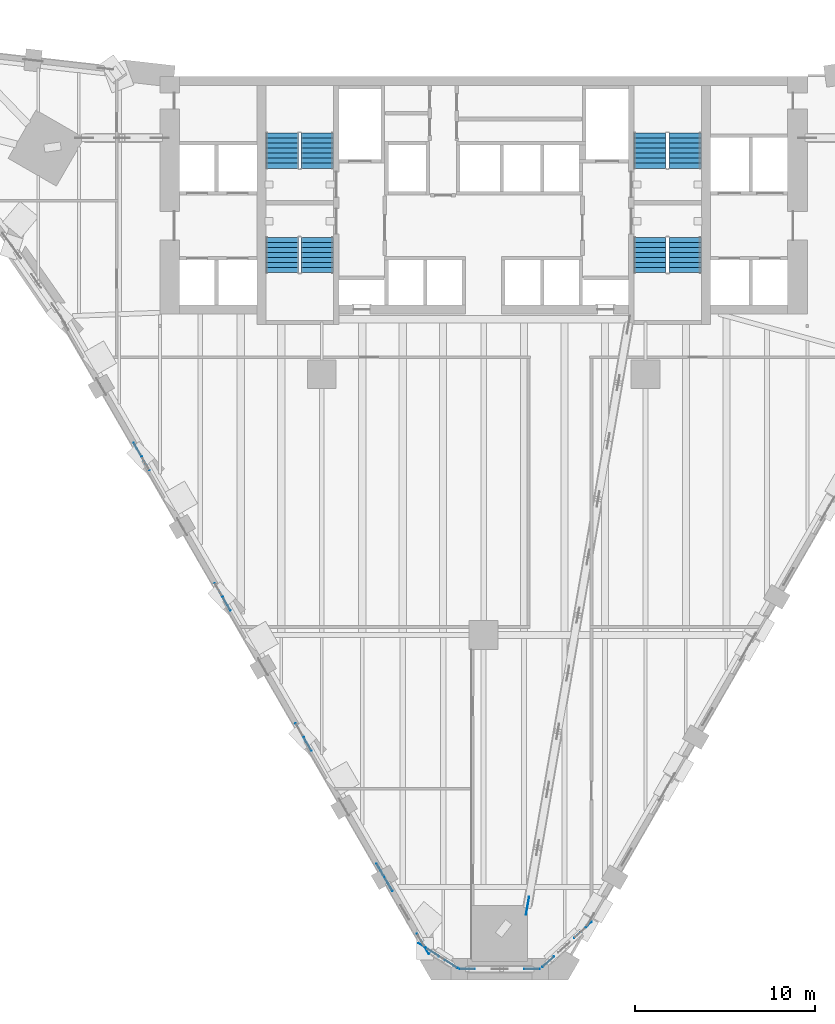
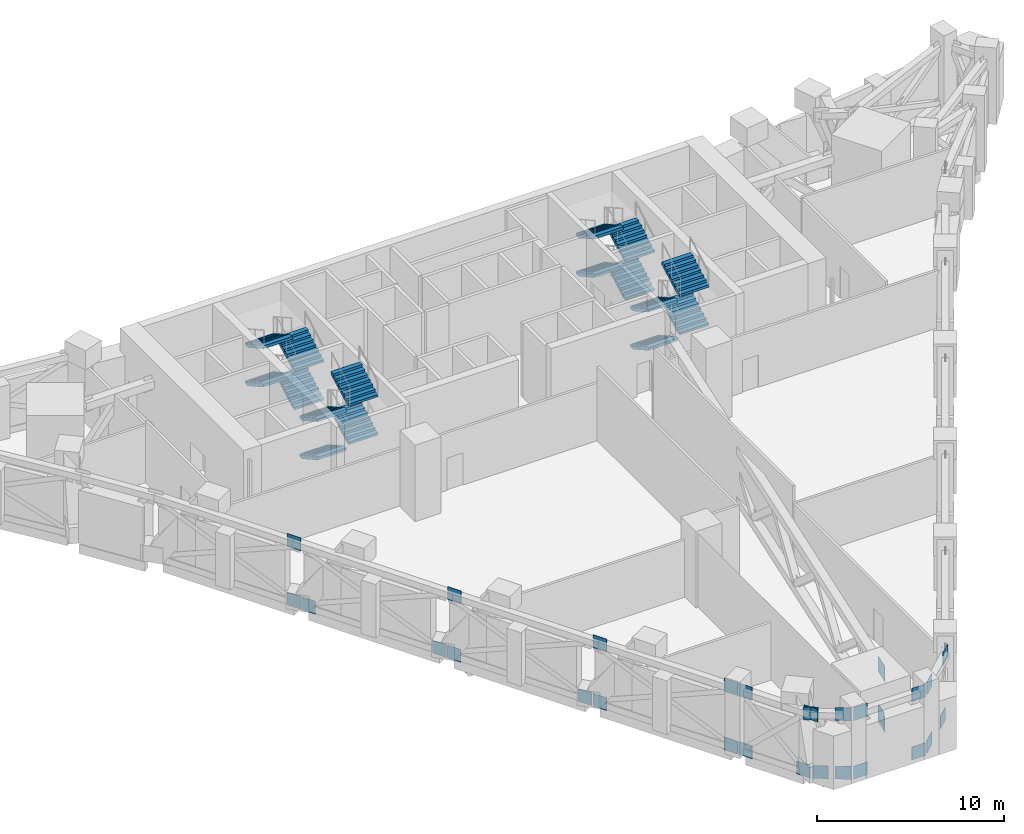
# One storey, part 13 of 22: 30 discrete accessories, 16 stair flights, 4 elements without a shape of their own.
"""IFC4 building model written with IfcOpenShell, lengths in metres."""

from ifc_helpers import new_model, si_unit, direction, frame, origin, origin_2d, place, context, subcontext, project, spatial, rectangle, extrude, faceted_brep, source, transform, mapped, material, type_object, element, aggregate, save


model = new_model("IFC4")

# Units and contexts
model_context = context("Model", 3, precision=1e-05, world=origin(), true_north=direction((0.0, 1.0)))
body_context = subcontext(model_context, "Body", "Model", "MODEL_VIEW")
ifc_project = project(units=[si_unit("LENGTHUNIT", "METRE"), si_unit("AREAUNIT", "SQUARE_METRE"), si_unit("VOLUMEUNIT", "CUBIC_METRE"), si_unit("PLANEANGLEUNIT", "RADIAN"), si_unit("MASSUNIT", "GRAM", prefix="KILO")], contexts=[model_context])

# Site, building, storey
site_placement = place(None, origin())
site = spatial("IfcSite", under=ifc_project, at=site_placement, CompositionType="ELEMENT")
building_placement = place(site_placement, origin())
building = spatial("IfcBuilding", under=site, at=building_placement, Name="Calabash Gate Tower", CompositionType="ELEMENT")
storey_placement = place(building_placement, frame((0.0, 0.0, 86.800048828125)))
storey = spatial("IfcBuildingStorey", under=building, at=storey_placement, Name="L18", CompositionType="ELEMENT", Elevation=86.800048828125)

# Stair, stair flights
ifc_material_1 = material(Name="Concrete C40/50", Category="concrete")
stair_type = type_object("IfcStairType", Name="Exit stair 32 risers of 156.2 mm", PredefinedType="HALF_TURN_STAIR", material=ifc_material_1)
stair_1_placement = place(storey_placement, origin())
stair_1 = element("IfcStair", 1, at=stair_1_placement, inside=storey, type_object=stair_type, Name="L18 Exit stair ST1", PredefinedType="HALF_TURN_STAIR")
ifc_material_2 = material(Name="Concrete C40/50", Category="concrete")
stair_flight_type = type_object("IfcStairFlightType", Name="Exit stair flight SFL", PredefinedType="STRAIGHT", material=ifc_material_2)
shared_shape = source(origin(), body_context, "Body", "Brep", [
    faceted_brep([(-0.0009765625, -0.89990234375, 0.0), (0.306884765625, -0.89990234375, 0.0), (1.9541015625, -0.89990234375, 0.921875), (-0.0009765625, 0.89990234375, 0.0), (1.9541015625, 0.89990234375, 0.921875), (0.306884765625, 0.89990234375, 0.0), (1.9541015625, -0.89990234375, 1.105712890625), (1.952880859375, -0.89990234375, 1.105712890625), (1.952880859375, 0.89990234375, 1.105712890625), (1.9541015625, 0.89990234375, 1.105712890625), (1.952880859375, -0.89990234375, 1.09375), (1.952880859375, 0.89990234375, 1.09375), (1.674072265625, -0.89990234375, 1.09375), (1.674072265625, 0.89990234375, 1.09375), (1.674072265625, -0.89990234375, 0.9375), (1.674072265625, 0.89990234375, 0.9375), (1.39501953125, -0.89990234375, 0.9375), (1.39501953125, 0.89990234375, 0.9375), (1.39501953125, -0.89990234375, 0.78125), (1.39501953125, 0.89990234375, 0.78125), (1.115966796875, -0.89990234375, 0.78125), (1.115966796875, -0.89990234375, 0.625), (1.115966796875, 0.89990234375, 0.625), (1.115966796875, 0.89990234375, 0.78125), (0.8369140625, -0.89990234375, 0.625), (0.8369140625, -0.89990234375, 0.46875), (0.8369140625, 0.89990234375, 0.46875), (0.8369140625, 0.89990234375, 0.625), (0.55810546875, -0.89990234375, 0.46875), (0.55810546875, -0.89990234375, 0.3125), (0.55810546875, 0.89990234375, 0.3125), (0.55810546875, 0.89990234375, 0.46875), (0.279052734375, -0.89990234375, 0.3125), (0.279052734375, -0.89990234375, 0.15625), (0.279052734375, 0.89990234375, 0.15625), (0.279052734375, 0.89990234375, 0.3125), (-0.0009765625, -0.89990234375, 0.15625), (-0.0009765625, 0.89990234375, 0.15625), (0.306884765625, -0.360107421875, 0.0), (1.9541015625, -0.360107421875, 0.921875), (0.306884765625, -0.27001953125, 0.0), (1.9541015625, -0.27001953125, 0.921875), (0.306884765625, -0.179931640625, 0.0), (1.9541015625, -0.179931640625, 0.921875), (0.306884765625, -0.090087890625, 0.0), (1.9541015625, -0.090087890625, 0.921875), (0.306884765625, 0.0, 0.0), (1.9541015625, 0.0, 0.921875), (0.306884765625, 0.090087890625, 0.0), (1.9541015625, 0.090087890625, 0.921875), (0.306884765625, 0.179931640625, 0.0), (1.9541015625, 0.179931640625, 0.921875), (0.306884765625, 0.27001953125, 0.0), (1.9541015625, 0.27001953125, 0.921875), (0.306884765625, 0.360107421875, 0.0), (1.9541015625, 0.360107421875, 0.921875), (1.9541015625, -0.360107421875, 1.105712890625), (1.9541015625, -0.27001953125, 1.105712890625), (1.9541015625, -0.179931640625, 1.105712890625), (1.9541015625, -0.090087890625, 1.105712890625), (1.9541015625, 0.0, 1.105712890625), (1.9541015625, 0.090087890625, 1.105712890625), (1.9541015625, 0.179931640625, 1.105712890625), (1.9541015625, 0.27001953125, 1.105712890625), (1.9541015625, 0.360107421875, 1.105712890625), (1.952880859375, -0.360107421875, 1.105712890625), (1.952880859375, -0.27001953125, 1.105712890625), (1.952880859375, -0.179931640625, 1.105712890625), (1.952880859375, -0.090087890625, 1.105712890625), (1.952880859375, 0.0, 1.105712890625), (1.952880859375, 0.090087890625, 1.105712890625), (1.952880859375, 0.179931640625, 1.105712890625), (1.952880859375, 0.27001953125, 1.105712890625), (1.952880859375, 0.360107421875, 1.105712890625), (1.952880859375, -0.360107421875, 1.09375), (1.952880859375, -0.27001953125, 1.09375), (1.952880859375, -0.179931640625, 1.09375), (1.952880859375, -0.090087890625, 1.09375), (1.952880859375, 0.0, 1.09375), (1.952880859375, 0.090087890625, 1.09375), (1.952880859375, 0.179931640625, 1.09375), (1.952880859375, 0.27001953125, 1.09375), (1.952880859375, 0.360107421875, 1.09375), (1.674072265625, -0.360107421875, 1.09375), (1.674072265625, -0.27001953125, 1.09375), (1.674072265625, -0.179931640625, 1.09375), (1.674072265625, -0.090087890625, 1.09375), (1.674072265625, 0.0, 1.09375), (1.674072265625, 0.090087890625, 1.09375), (1.674072265625, 0.179931640625, 1.09375), (1.674072265625, 0.27001953125, 1.09375), (1.674072265625, 0.360107421875, 1.09375), (1.674072265625, -0.360107421875, 0.9375), (1.674072265625, -0.27001953125, 0.9375), (1.674072265625, -0.179931640625, 0.9375), (1.674072265625, -0.090087890625, 0.9375), (1.674072265625, 0.0, 0.9375), (1.674072265625, 0.090087890625, 0.9375), (1.674072265625, 0.179931640625, 0.9375), (1.674072265625, 0.27001953125, 0.9375), (1.674072265625, 0.360107421875, 0.9375), (1.39501953125, -0.360107421875, 0.9375), (1.39501953125, -0.27001953125, 0.9375), (1.39501953125, -0.179931640625, 0.9375), (1.39501953125, -0.090087890625, 0.9375), (1.39501953125, 0.0, 0.9375), (1.39501953125, 0.090087890625, 0.9375), (1.39501953125, 0.179931640625, 0.9375), (1.39501953125, 0.27001953125, 0.9375), (1.39501953125, 0.360107421875, 0.9375), (1.39501953125, -0.360107421875, 0.78125), (1.39501953125, -0.27001953125, 0.78125), (1.39501953125, -0.179931640625, 0.78125), (1.39501953125, -0.090087890625, 0.78125), (1.39501953125, 0.0, 0.78125), (1.39501953125, 0.090087890625, 0.78125), (1.39501953125, 0.179931640625, 0.78125), (1.39501953125, 0.27001953125, 0.78125), (1.39501953125, 0.360107421875, 0.78125), (1.115966796875, -0.360107421875, 0.78125), (1.115966796875, -0.27001953125, 0.78125), (1.115966796875, -0.179931640625, 0.78125), (1.115966796875, -0.090087890625, 0.78125), (1.115966796875, 0.0, 0.78125), (1.115966796875, 0.090087890625, 0.78125), (1.115966796875, 0.179931640625, 0.78125), (1.115966796875, 0.27001953125, 0.78125), (1.115966796875, 0.360107421875, 0.78125), (1.115966796875, -0.360107421875, 0.625), (1.115966796875, -0.27001953125, 0.625), (1.115966796875, -0.179931640625, 0.625), (1.115966796875, -0.090087890625, 0.625), (1.115966796875, 0.0, 0.625), (1.115966796875, 0.090087890625, 0.625), (1.115966796875, 0.179931640625, 0.625), (1.115966796875, 0.27001953125, 0.625), (1.115966796875, 0.360107421875, 0.625), (0.8369140625, -0.360107421875, 0.625), (0.8369140625, -0.27001953125, 0.625), (0.8369140625, -0.179931640625, 0.625), (0.8369140625, -0.090087890625, 0.625), (0.8369140625, 0.0, 0.625), (0.8369140625, 0.090087890625, 0.625), (0.8369140625, 0.179931640625, 0.625), (0.8369140625, 0.27001953125, 0.625), (0.8369140625, 0.360107421875, 0.625), (0.8369140625, -0.360107421875, 0.46875), (0.8369140625, -0.27001953125, 0.46875), (0.8369140625, -0.179931640625, 0.46875), (0.8369140625, -0.090087890625, 0.46875), (0.8369140625, 0.0, 0.46875), (0.8369140625, 0.090087890625, 0.46875), (0.8369140625, 0.179931640625, 0.46875), (0.8369140625, 0.27001953125, 0.46875), (0.8369140625, 0.360107421875, 0.46875), (0.55810546875, -0.360107421875, 0.46875), (0.55810546875, -0.27001953125, 0.46875), (0.55810546875, -0.179931640625, 0.46875), (0.55810546875, -0.090087890625, 0.46875), (0.55810546875, 0.0, 0.46875), (0.55810546875, 0.090087890625, 0.46875), (0.55810546875, 0.179931640625, 0.46875), (0.55810546875, 0.27001953125, 0.46875), (0.55810546875, 0.360107421875, 0.46875), (0.55810546875, -0.360107421875, 0.3125), (0.55810546875, -0.27001953125, 0.3125), (0.55810546875, -0.179931640625, 0.3125), (0.55810546875, -0.090087890625, 0.3125), (0.55810546875, 0.0, 0.3125), (0.55810546875, 0.090087890625, 0.3125), (0.55810546875, 0.179931640625, 0.3125), (0.55810546875, 0.27001953125, 0.3125), (0.55810546875, 0.360107421875, 0.3125), (0.279052734375, -0.360107421875, 0.3125), (0.279052734375, -0.27001953125, 0.3125), (0.279052734375, -0.179931640625, 0.3125), (0.279052734375, -0.090087890625, 0.3125), (0.279052734375, 0.0, 0.3125), (0.279052734375, 0.090087890625, 0.3125), (0.279052734375, 0.179931640625, 0.3125), (0.279052734375, 0.27001953125, 0.3125), (0.279052734375, 0.360107421875, 0.3125), (0.279052734375, -0.360107421875, 0.15625), (0.279052734375, -0.27001953125, 0.15625), (0.279052734375, -0.179931640625, 0.15625), (0.279052734375, -0.090087890625, 0.15625), (0.279052734375, 0.0, 0.15625), (0.279052734375, 0.090087890625, 0.15625), (0.279052734375, 0.179931640625, 0.15625), (0.279052734375, 0.27001953125, 0.15625), (0.279052734375, 0.360107421875, 0.15625), (-0.0009765625, -0.360107421875, 0.15625), (-0.0009765625, -0.27001953125, 0.15625), (-0.0009765625, -0.179931640625, 0.15625), (-0.0009765625, -0.090087890625, 0.15625), (-0.0009765625, 0.0, 0.15625), (-0.0009765625, 0.090087890625, 0.15625), (-0.0009765625, 0.179931640625, 0.15625), (-0.0009765625, 0.27001953125, 0.15625), (-0.0009765625, 0.360107421875, 0.15625), (-0.0009765625, -0.360107421875, 0.0), (-0.0009765625, -0.27001953125, 0.0), (-0.0009765625, -0.179931640625, 0.0), (-0.0009765625, -0.090087890625, 0.0), (-0.0009765625, 0.0, 0.0), (-0.0009765625, 0.090087890625, 0.0), (-0.0009765625, 0.179931640625, 0.0), (-0.0009765625, 0.27001953125, 0.0), (-0.0009765625, 0.360107421875, 0.0)], [[[0, 1, 2]], [[3, 4, 5]], [[2, 6, 7]], [[4, 8, 9]], [[2, 7, 10]], [[4, 11, 8]], [[2, 10, 12]], [[4, 13, 11]], [[2, 12, 14]], [[4, 15, 13]], [[2, 14, 16]], [[4, 17, 15]], [[2, 16, 18]], [[4, 19, 17]], [[18, 20, 21]], [[19, 22, 23]], [[2, 18, 21]], [[4, 22, 19]], [[21, 24, 25]], [[22, 26, 27]], [[2, 21, 25]], [[4, 26, 22]], [[25, 28, 29]], [[26, 30, 31]], [[2, 25, 29]], [[4, 30, 26]], [[29, 32, 33]], [[30, 34, 35]], [[2, 29, 33]], [[4, 34, 30]], [[0, 2, 33]], [[3, 34, 4]], [[33, 36, 0]], [[34, 3, 37]], [[1, 38, 2]], [[38, 39, 2]], [[38, 40, 39]], [[40, 41, 39]], [[40, 42, 41]], [[42, 43, 41]], [[42, 44, 43]], [[44, 45, 43]], [[44, 46, 45]], [[46, 47, 45]], [[46, 48, 49]], [[46, 49, 47]], [[48, 50, 51]], [[48, 51, 49]], [[50, 52, 53]], [[50, 53, 51]], [[52, 54, 55]], [[52, 55, 53]], [[54, 5, 4]], [[54, 4, 55]], [[2, 39, 6]], [[39, 56, 6]], [[39, 41, 56]], [[41, 57, 56]], [[41, 43, 57]], [[43, 58, 57]], [[43, 45, 58]], [[45, 59, 58]], [[45, 47, 59]], [[47, 60, 59]], [[47, 49, 61]], [[47, 61, 60]], [[49, 51, 62]], [[49, 62, 61]], [[51, 53, 63]], [[51, 63, 62]], [[53, 55, 64]], [[53, 64, 63]], [[55, 4, 9]], [[55, 9, 64]], [[6, 56, 7]], [[56, 65, 7]], [[56, 57, 65]], [[57, 66, 65]], [[57, 58, 66]], [[58, 67, 66]], [[58, 59, 67]], [[59, 68, 67]], [[59, 60, 68]], [[60, 69, 68]], [[60, 61, 70]], [[60, 70, 69]], [[61, 62, 71]], [[61, 71, 70]], [[62, 63, 72]], [[62, 72, 71]], [[63, 64, 73]], [[63, 73, 72]], [[64, 9, 8]], [[64, 8, 73]], [[7, 65, 10]], [[65, 74, 10]], [[65, 66, 74]], [[66, 75, 74]], [[66, 67, 75]], [[67, 76, 75]], [[67, 68, 76]], [[68, 77, 76]], [[68, 69, 77]], [[69, 78, 77]], [[69, 70, 79]], [[69, 79, 78]], [[70, 71, 80]], [[70, 80, 79]], [[71, 72, 81]], [[71, 81, 80]], [[72, 73, 82]], [[72, 82, 81]], [[73, 8, 11]], [[73, 11, 82]], [[10, 74, 12]], [[74, 83, 12]], [[74, 75, 83]], [[75, 84, 83]], [[75, 76, 84]], [[76, 85, 84]], [[76, 77, 85]], [[77, 86, 85]], [[77, 78, 86]], [[78, 87, 86]], [[78, 79, 88]], [[78, 88, 87]], [[79, 80, 89]], [[79, 89, 88]], [[80, 81, 90]], [[80, 90, 89]], [[81, 82, 91]], [[81, 91, 90]], [[82, 11, 13]], [[82, 13, 91]], [[12, 83, 14]], [[83, 92, 14]], [[83, 84, 92]], [[84, 93, 92]], [[84, 85, 93]], [[85, 94, 93]], [[85, 86, 94]], [[86, 95, 94]], [[86, 87, 95]], [[87, 96, 95]], [[87, 88, 97]], [[87, 97, 96]], [[88, 89, 98]], [[88, 98, 97]], [[89, 90, 99]], [[89, 99, 98]], [[90, 91, 100]], [[90, 100, 99]], [[91, 13, 15]], [[91, 15, 100]], [[14, 92, 16]], [[92, 101, 16]], [[92, 93, 101]], [[93, 102, 101]], [[93, 94, 102]], [[94, 103, 102]], [[94, 95, 103]], [[95, 104, 103]], [[95, 96, 104]], [[96, 105, 104]], [[96, 97, 106]], [[96, 106, 105]], [[97, 98, 107]], [[97, 107, 106]], [[98, 99, 108]], [[98, 108, 107]], [[99, 100, 109]], [[99, 109, 108]], [[100, 15, 17]], [[100, 17, 109]], [[16, 101, 18]], [[101, 110, 18]], [[101, 102, 110]], [[102, 111, 110]], [[102, 103, 111]], [[103, 112, 111]], [[103, 104, 112]], [[104, 113, 112]], [[104, 105, 113]], [[105, 114, 113]], [[105, 106, 115]], [[105, 115, 114]], [[106, 107, 116]], [[106, 116, 115]], [[107, 108, 117]], [[107, 117, 116]], [[108, 109, 118]], [[108, 118, 117]], [[109, 17, 19]], [[109, 19, 118]], [[18, 110, 20]], [[110, 119, 20]], [[110, 111, 119]], [[111, 120, 119]], [[111, 112, 120]], [[112, 121, 120]], [[112, 113, 121]], [[113, 122, 121]], [[113, 114, 122]], [[114, 123, 122]], [[114, 115, 124]], [[114, 124, 123]], [[115, 116, 125]], [[115, 125, 124]], [[116, 117, 126]], [[116, 126, 125]], [[117, 118, 127]], [[117, 127, 126]], [[118, 19, 23]], [[118, 23, 127]], [[20, 119, 21]], [[119, 128, 21]], [[119, 120, 128]], [[120, 129, 128]], [[120, 121, 129]], [[121, 130, 129]], [[121, 122, 130]], [[122, 131, 130]], [[122, 123, 131]], [[123, 132, 131]], [[123, 124, 133]], [[123, 133, 132]], [[124, 125, 134]], [[124, 134, 133]], [[125, 126, 135]], [[125, 135, 134]], [[126, 127, 136]], [[126, 136, 135]], [[127, 23, 22]], [[127, 22, 136]], [[21, 128, 24]], [[128, 137, 24]], [[128, 129, 137]], [[129, 138, 137]], [[129, 130, 138]], [[130, 139, 138]], [[130, 131, 139]], [[131, 140, 139]], [[131, 132, 140]], [[132, 141, 140]], [[132, 133, 142]], [[132, 142, 141]], [[133, 134, 143]], [[133, 143, 142]], [[134, 135, 144]], [[134, 144, 143]], [[135, 136, 145]], [[135, 145, 144]], [[136, 22, 27]], [[136, 27, 145]], [[24, 137, 25]], [[137, 146, 25]], [[137, 138, 146]], [[138, 147, 146]], [[138, 139, 147]], [[139, 148, 147]], [[139, 140, 148]], [[140, 149, 148]], [[140, 141, 149]], [[141, 150, 149]], [[141, 142, 151]], [[141, 151, 150]], [[142, 143, 152]], [[142, 152, 151]], [[143, 144, 153]], [[143, 153, 152]], [[144, 145, 154]], [[144, 154, 153]], [[145, 27, 26]], [[145, 26, 154]], [[25, 146, 28]], [[146, 155, 28]], [[146, 147, 155]], [[147, 156, 155]], [[147, 148, 156]], [[148, 157, 156]], [[148, 149, 157]], [[149, 158, 157]], [[149, 150, 158]], [[150, 159, 158]], [[150, 151, 160]], [[150, 160, 159]], [[151, 152, 161]], [[151, 161, 160]], [[152, 153, 162]], [[152, 162, 161]], [[153, 154, 163]], [[153, 163, 162]], [[154, 26, 31]], [[154, 31, 163]], [[28, 155, 29]], [[155, 164, 29]], [[155, 156, 164]], [[156, 165, 164]], [[156, 157, 165]], [[157, 166, 165]], [[157, 158, 166]], [[158, 167, 166]], [[158, 159, 167]], [[159, 168, 167]], [[159, 160, 169]], [[159, 169, 168]], [[160, 161, 170]], [[160, 170, 169]], [[161, 162, 171]], [[161, 171, 170]], [[162, 163, 172]], [[162, 172, 171]], [[163, 31, 30]], [[163, 30, 172]], [[29, 164, 32]], [[164, 173, 32]], [[164, 165, 173]], [[165, 174, 173]], [[165, 166, 174]], [[166, 175, 174]], [[166, 167, 175]], [[167, 176, 175]], [[167, 168, 176]], [[168, 177, 176]], [[168, 169, 178]], [[168, 178, 177]], [[169, 170, 179]], [[169, 179, 178]], [[170, 171, 180]], [[170, 180, 179]], [[171, 172, 181]], [[171, 181, 180]], [[172, 30, 35]], [[172, 35, 181]], [[32, 173, 33]], [[173, 182, 33]], [[173, 174, 182]], [[174, 183, 182]], [[174, 175, 183]], [[175, 184, 183]], [[175, 176, 184]], [[176, 185, 184]], [[176, 177, 185]], [[177, 186, 185]], [[177, 178, 187]], [[177, 187, 186]], [[178, 179, 188]], [[178, 188, 187]], [[179, 180, 189]], [[179, 189, 188]], [[180, 181, 190]], [[180, 190, 189]], [[181, 35, 34]], [[181, 34, 190]], [[33, 182, 36]], [[182, 191, 36]], [[182, 183, 191]], [[183, 192, 191]], [[183, 184, 192]], [[184, 193, 192]], [[184, 185, 193]], [[185, 194, 193]], [[185, 186, 194]], [[186, 195, 194]], [[186, 187, 196]], [[186, 196, 195]], [[187, 188, 197]], [[187, 197, 196]], [[188, 189, 198]], [[188, 198, 197]], [[189, 190, 199]], [[189, 199, 198]], [[190, 34, 37]], [[190, 37, 199]], [[36, 191, 0]], [[191, 200, 0]], [[191, 192, 200]], [[192, 201, 200]], [[192, 193, 201]], [[193, 202, 201]], [[193, 194, 202]], [[194, 203, 202]], [[194, 195, 203]], [[195, 204, 203]], [[195, 196, 205]], [[195, 205, 204]], [[196, 197, 206]], [[196, 206, 205]], [[197, 198, 207]], [[197, 207, 206]], [[198, 199, 208]], [[198, 208, 207]], [[199, 37, 3]], [[199, 3, 208]], [[0, 200, 1]], [[200, 38, 1]], [[200, 201, 38]], [[201, 40, 38]], [[201, 202, 40]], [[202, 42, 40]], [[202, 203, 42]], [[203, 44, 42]], [[203, 204, 44]], [[204, 46, 44]], [[204, 205, 48]], [[204, 48, 46]], [[205, 206, 50]], [[205, 50, 48]], [[206, 207, 52]], [[206, 52, 50]], [[207, 208, 54]], [[207, 54, 52]], [[208, 3, 5]], [[208, 5, 54]]]),
])
stair_flight_1_placement = place(storey_placement, frame((-9.25, 13.95263671875, 0.0), z_axis=(0.0, 0.0, 1.0), x_axis=(0.0, 1.0, 0.0)))
stair_flight_1 = element("IfcStairFlight", 2, at=stair_flight_1_placement, type_object=stair_flight_type, Name="ST1 flight 1", NumberOfRisers=8, NumberOfTreads=7, PredefinedType="STRAIGHT", RiserHeight=0.15625, TreadLength=0.279, context=body_context, shape_type="MappedRepresentation", body=[
    mapped(shared_shape, transform((0.0, 0.0, 0.0), scale=1.0)),
])
stair_flight_2_placement = place(storey_placement, frame((-11.199951171875, 15.905517578125, 1.25), z_axis=(0.0, 0.0, 1.0), x_axis=(0.0, -1.0, 0.0)))
stair_flight_2 = element("IfcStairFlight", 3, at=stair_flight_2_placement, type_object=stair_flight_type, Name="ST1 flight 2", NumberOfRisers=8, NumberOfTreads=7, PredefinedType="STRAIGHT", RiserHeight=0.15625, TreadLength=0.279, context=body_context, shape_type="MappedRepresentation", body=[
    mapped(shared_shape, transform((0.0, 0.0, 0.0), scale=1.0)),
])
stair_flight_3_placement = place(storey_placement, frame((-9.25, 13.95263671875, 2.5), z_axis=(0.0, 0.0, 1.0), x_axis=(0.0, 1.0, 0.0)))
stair_flight_3 = element("IfcStairFlight", 4, at=stair_flight_3_placement, type_object=stair_flight_type, Name="ST1 flight 3", NumberOfRisers=8, NumberOfTreads=7, PredefinedType="STRAIGHT", RiserHeight=0.15625, TreadLength=0.279, context=body_context, shape_type="MappedRepresentation", body=[
    mapped(shared_shape, transform((0.0, 0.0, 0.0), scale=1.0)),
])
stair_flight_4_placement = place(storey_placement, frame((-11.199951171875, 15.905517578125, 3.75), z_axis=(0.0, 0.0, 1.0), x_axis=(0.0, -1.0, 0.0)))
stair_flight_4 = element("IfcStairFlight", 5, at=stair_flight_4_placement, type_object=stair_flight_type, Name="ST1 flight 4", NumberOfRisers=8, NumberOfTreads=7, PredefinedType="STRAIGHT", RiserHeight=0.15625, TreadLength=0.279, context=body_context, shape_type="MappedRepresentation", body=[
    mapped(shared_shape, transform((0.0, 0.0, 0.0), scale=1.0)),
])
aggregate(stair_1, [stair_flight_1, stair_flight_2, stair_flight_3, stair_flight_4])

stair_2_placement = place(storey_placement, origin())
stair_2 = element("IfcStair", 6, at=stair_2_placement, inside=storey, type_object=stair_type, Name="L18 Exit stair ST2", PredefinedType="HALF_TURN_STAIR")
stair_flight_5_placement = place(storey_placement, frame((-11.199951171875, 10.1025390625, 0.0), z_axis=(0.0, 0.0, 1.0), x_axis=(0.0, -1.0, 0.0)))
stair_flight_5 = element("IfcStairFlight", 7, at=stair_flight_5_placement, type_object=stair_flight_type, Name="ST2 flight 1", NumberOfRisers=8, NumberOfTreads=7, PredefinedType="STRAIGHT", RiserHeight=0.15625, TreadLength=0.279, context=body_context, shape_type="MappedRepresentation", body=[
    mapped(shared_shape, transform((0.0, 0.0, 0.0), scale=1.0)),
])
stair_flight_6_placement = place(storey_placement, frame((-9.25, 8.149658203125, 1.25), z_axis=(0.0, 0.0, 1.0), x_axis=(0.0, 1.0, 0.0)))
stair_flight_6 = element("IfcStairFlight", 8, at=stair_flight_6_placement, type_object=stair_flight_type, Name="ST2 flight 2", NumberOfRisers=8, NumberOfTreads=7, PredefinedType="STRAIGHT", RiserHeight=0.15625, TreadLength=0.279, context=body_context, shape_type="MappedRepresentation", body=[
    mapped(shared_shape, transform((0.0, 0.0, 0.0), scale=1.0)),
])
stair_flight_7_placement = place(storey_placement, frame((-11.199951171875, 10.1025390625, 2.5), z_axis=(0.0, 0.0, 1.0), x_axis=(0.0, -1.0, 0.0)))
stair_flight_7 = element("IfcStairFlight", 9, at=stair_flight_7_placement, type_object=stair_flight_type, Name="ST2 flight 3", NumberOfRisers=8, NumberOfTreads=7, PredefinedType="STRAIGHT", RiserHeight=0.15625, TreadLength=0.279, context=body_context, shape_type="MappedRepresentation", body=[
    mapped(shared_shape, transform((0.0, 0.0, 0.0), scale=1.0)),
])
stair_flight_8_placement = place(storey_placement, frame((-9.25, 8.149658203125, 3.75), z_axis=(0.0, 0.0, 1.0), x_axis=(0.0, 1.0, 0.0)))
stair_flight_8 = element("IfcStairFlight", 10, at=stair_flight_8_placement, type_object=stair_flight_type, Name="ST2 flight 4", NumberOfRisers=8, NumberOfTreads=7, PredefinedType="STRAIGHT", RiserHeight=0.15625, TreadLength=0.279, context=body_context, shape_type="MappedRepresentation", body=[
    mapped(shared_shape, transform((0.0, 0.0, 0.0), scale=1.0)),
])
aggregate(stair_2, [stair_flight_5, stair_flight_6, stair_flight_7, stair_flight_8])

stair_3_placement = place(storey_placement, origin())
stair_3 = element("IfcStair", 11, at=stair_3_placement, inside=storey, type_object=stair_type, Name="L18 Exit stair ST3", PredefinedType="HALF_TURN_STAIR")
stair_flight_9_placement = place(storey_placement, frame((11.199951171875, 13.95263671875, 0.0), z_axis=(0.0, 0.0, 1.0), x_axis=(0.0, 1.0, 0.0)))
stair_flight_9 = element("IfcStairFlight", 12, at=stair_flight_9_placement, type_object=stair_flight_type, Name="ST3 flight 1", NumberOfRisers=8, NumberOfTreads=7, PredefinedType="STRAIGHT", RiserHeight=0.15625, TreadLength=0.279, context=body_context, shape_type="MappedRepresentation", body=[
    mapped(shared_shape, transform((0.0, 0.0, 0.0), scale=1.0)),
])
stair_flight_10_placement = place(storey_placement, frame((9.25, 15.905517578125, 1.25), z_axis=(0.0, 0.0, 1.0), x_axis=(0.0, -1.0, 0.0)))
stair_flight_10 = element("IfcStairFlight", 13, at=stair_flight_10_placement, type_object=stair_flight_type, Name="ST3 flight 2", NumberOfRisers=8, NumberOfTreads=7, PredefinedType="STRAIGHT", RiserHeight=0.15625, TreadLength=0.279, context=body_context, shape_type="MappedRepresentation", body=[
    mapped(shared_shape, transform((0.0, 0.0, 0.0), scale=1.0)),
])
stair_flight_11_placement = place(storey_placement, frame((11.199951171875, 13.95263671875, 2.5), z_axis=(0.0, 0.0, 1.0), x_axis=(0.0, 1.0, 0.0)))
stair_flight_11 = element("IfcStairFlight", 14, at=stair_flight_11_placement, type_object=stair_flight_type, Name="ST3 flight 3", NumberOfRisers=8, NumberOfTreads=7, PredefinedType="STRAIGHT", RiserHeight=0.15625, TreadLength=0.279, context=body_context, shape_type="MappedRepresentation", body=[
    mapped(shared_shape, transform((0.0, 0.0, 0.0), scale=1.0)),
])
stair_flight_12_placement = place(storey_placement, frame((9.25, 15.905517578125, 3.75), z_axis=(0.0, 0.0, 1.0), x_axis=(0.0, -1.0, 0.0)))
stair_flight_12 = element("IfcStairFlight", 15, at=stair_flight_12_placement, type_object=stair_flight_type, Name="ST3 flight 4", NumberOfRisers=8, NumberOfTreads=7, PredefinedType="STRAIGHT", RiserHeight=0.15625, TreadLength=0.279, context=body_context, shape_type="MappedRepresentation", body=[
    mapped(shared_shape, transform((0.0, 0.0, 0.0), scale=1.0)),
])
aggregate(stair_3, [stair_flight_9, stair_flight_10, stair_flight_11, stair_flight_12])

stair_4_placement = place(storey_placement, origin())
stair_4 = element("IfcStair", 16, at=stair_4_placement, inside=storey, type_object=stair_type, Name="L18 Exit stair ST4", PredefinedType="HALF_TURN_STAIR")
stair_flight_13_placement = place(storey_placement, frame((9.25, 10.1025390625, 0.0), z_axis=(0.0, 0.0, 1.0), x_axis=(0.0, -1.0, 0.0)))
stair_flight_13 = element("IfcStairFlight", 17, at=stair_flight_13_placement, type_object=stair_flight_type, Name="ST4 flight 1", NumberOfRisers=8, NumberOfTreads=7, PredefinedType="STRAIGHT", RiserHeight=0.15625, TreadLength=0.279, context=body_context, shape_type="MappedRepresentation", body=[
    mapped(shared_shape, transform((0.0, 0.0, 0.0), scale=1.0)),
])
stair_flight_14_placement = place(storey_placement, frame((11.199951171875, 8.149658203125, 1.25), z_axis=(0.0, 0.0, 1.0), x_axis=(0.0, 1.0, 0.0)))
stair_flight_14 = element("IfcStairFlight", 18, at=stair_flight_14_placement, type_object=stair_flight_type, Name="ST4 flight 2", NumberOfRisers=8, NumberOfTreads=7, PredefinedType="STRAIGHT", RiserHeight=0.15625, TreadLength=0.279, context=body_context, shape_type="MappedRepresentation", body=[
    mapped(shared_shape, transform((0.0, 0.0, 0.0), scale=1.0)),
])
stair_flight_15_placement = place(storey_placement, frame((9.25, 10.1025390625, 2.5), z_axis=(0.0, 0.0, 1.0), x_axis=(0.0, -1.0, 0.0)))
stair_flight_15 = element("IfcStairFlight", 19, at=stair_flight_15_placement, type_object=stair_flight_type, Name="ST4 flight 3", NumberOfRisers=8, NumberOfTreads=7, PredefinedType="STRAIGHT", RiserHeight=0.15625, TreadLength=0.279, context=body_context, shape_type="MappedRepresentation", body=[
    mapped(shared_shape, transform((0.0, 0.0, 0.0), scale=1.0)),
])
stair_flight_16_placement = place(storey_placement, frame((11.199951171875, 8.149658203125, 3.75), z_axis=(0.0, 0.0, 1.0), x_axis=(0.0, 1.0, 0.0)))
stair_flight_16 = element("IfcStairFlight", 20, at=stair_flight_16_placement, type_object=stair_flight_type, Name="ST4 flight 4", NumberOfRisers=8, NumberOfTreads=7, PredefinedType="STRAIGHT", RiserHeight=0.15625, TreadLength=0.279, context=body_context, shape_type="MappedRepresentation", body=[
    mapped(shared_shape, transform((0.0, 0.0, 0.0), scale=1.0)),
])
aggregate(stair_4, [stair_flight_13, stair_flight_14, stair_flight_15, stair_flight_16])

# Discrete accessories
ifc_material_3 = material(Name="Steel ASTM A572 Gr50", Category="steel")
discrete_accessory_type = type_object("IfcDiscreteAccessoryType", Name="Connection plate 25", PredefinedType="BRACKET", material=ifc_material_3)
for number, where, z_axis, x_axis, name in (
    (21, (-18.7841796875, -2.4697265625, -0.22216796875), (0.0, 0.0, 1.0), (0.49999993954, -0.866025438691, 0.0), "Connection plate Belt chord L18 1 start"),
    (22, (-14.734130859375, -9.484619140625, -0.22216796875), (0.0, 0.0, 1.0), (0.49999993954, -0.866025438691, 0.0), "Connection plate Belt chord L18 1 end"),
    (23, (-19.237060546875, -1.68603515625, 3.6015625), (0.0, 0.0, 1.0), (0.500013618548, -0.866017540969, 0.0), "Connection plate Belt chord L18 2 start"),
    (24, (-14.281982421875, -10.26806640625, 3.6015625), (0.0, 0.0, 1.0), (0.500013618548, -0.866017540969, 0.0), "Connection plate Belt chord L18 2 end"),
    (25, (-14.2841796875, -10.263916015625, -0.22216796875), (0.0, 0.0, 1.0), (0.499999984885, -0.866025412511, 0.0), "Connection plate Belt chord L18 6 start"),
    (26, (-10.234130859375, -17.27880859375, -0.22216796875), (0.0, 0.0, 1.0), (0.499999984885, -0.866025412511, 0.0), "Connection plate Belt chord L18 6 end"),
    (27, (-9.781982421875, -18.06298828125, 3.6015625), (0.0, 0.0, 1.0), (0.499948925563, -0.866054889616, 0.0), "Connection plate Belt chord L18 7 end"),
    (28, (-9.7841796875, -18.058349609375, -0.22216796875), (0.0, 0.0, 1.0), (0.49999993954, -0.866025438691, 0.0), "Connection plate Belt chord L18 11 start"),
    (29, (-5.734130859375, -25.072998046875, -0.22216796875), (0.0, 0.0, 1.0), (0.49999993954, -0.866025438691, 0.0), "Connection plate Belt chord L18 11 end"),
    (30, (-5.734130859375, -25.072998046875, 3.6015625), (0.0, 0.0, 1.0), (0.49999993954, -0.866025438691, 0.0), "Connection plate Belt chord L18 12 end"),
    (31, (-5.2841796875, -25.8525390625, -0.22216796875), (0.0, 0.0, 1.0), (0.49999993954, -0.866025438691, 0.0), "Connection plate Belt chord L18 16 start"),
    (32, (-3.484130859375, -28.97021484375, -0.22216796875), (0.0, 0.0, 1.0), (0.49999993954, -0.866025438691, 0.0), "Connection plate Belt chord L18 16 end"),
    (33, (-5.2841796875, -25.8525390625, 3.6015625), (0.0, 0.0, 1.0), (0.49995395902, -0.866051983925, 0.0), "Connection plate Belt chord L18 17 start"),
    (34, (-3.257080078125, -29.364013671875, 3.6015625), (0.0, 0.0, 1.0), (0.49995395902, -0.866051983925, 0.0), "Connection plate Belt chord L18 17 end"),
    (35, (-2.83154296875, -29.632568359375, -0.22216796875), (0.0, 0.0, 1.0), (0.84318698021, -0.537620420374, 0.0), "Connection plate Belt chord L18 21 start"),
    (36, (-1.804931640625, -30.287109375, -0.22216796875), (0.0, 0.0, 1.0), (0.84318698021, -0.537620420374, 0.0), "Connection plate Belt chord L18 21 end"),
    (37, (-3.263916015625, -29.35693359375, 3.6015625), (0.0, 0.0, 1.0), (0.843245395325, -0.537528792962, 0.0), "Connection plate Belt chord L18 22 start"),
    (38, (-1.804931640625, -30.287109375, 3.6015625), (0.0, 0.0, 1.0), (0.843245395325, -0.537528792962, 0.0), "Connection plate Belt chord L18 22 end"),
    (39, (-0.905029296875, -30.573974609375, -0.22216796875), (0.0, 0.0, 1.0), (1.0, 0.0, 0.0), "Connection plate Belt chord L18 26 start"),
    (40, (2.695068359375, -30.573974609375, -0.22216796875), (0.0, 0.0, 1.0), (1.0, 0.0, 0.0), "Connection plate Belt chord L18 26 end"),
    (41, (-0.905029296875, -30.573974609375, 3.6015625), (0.0, 0.0, 1.0), (1.0, 0.0, 0.0), "Connection plate Belt chord L18 27 start"),
    (42, (2.695068359375, -30.573974609375, 3.6015625), (0.0, 0.0, 1.0), (1.0, 0.0, 0.0), "Connection plate Belt chord L18 27 end"),
    (43, (3.594970703125, -30.161865234375, -0.22216796875), (0.0, 0.0, 1.0), (0.737535641487, 0.675308209292, 0.0), "Connection plate Belt chord L18 31 start"),
    (44, (5.349365234375, -28.555419921875, -0.22216796875), (0.0, 0.0, 1.0), (0.737535641487, 0.675308209292, 0.0), "Connection plate Belt chord L18 31 end"),
    (45, (3.594970703125, -30.161865234375, 3.6015625), (0.0, 0.0, 1.0), (0.737436498536, 0.675416471984, 0.0), "Connection plate Belt chord L18 32 start"),
    (46, (5.700927734375, -28.23291015625, 3.6015625), (0.0, 0.0, 1.0), (0.737436498536, 0.675416471984, 0.0), "Connection plate Belt chord L18 32 end"),
    (47, (-19.234130859375, -1.6904296875, -0.22216796875), (0.0, 0.0, 1.0), (0.49999993954, -0.866025438691, 0.0), "Connection plate Belt chord L18 111 end"),
):
    element("IfcDiscreteAccessory", number, at=place(storey_placement, frame(where, z_axis=z_axis, x_axis=x_axis)), inside=storey, type_object=discrete_accessory_type, Name=name, PredefinedType="BRACKET", context=body_context, shape_type="SweptSolid", body=[
        extrude(rectangle(XDim=0.850341796875, YDim=0.02490234375, at=origin_2d()), origin(), (0.0, 0.0, 1.0), 0.850341796875),
    ])
for number, where, z_axis, x_axis, name in (
    (48, (2.445068359375, -27.045654296875, -0.25244140625), (0.0, 0.0, 1.0), (0.170984794238, 0.985273667637, 0.0), "Connection plate Outrigger chord L18 S start"),
    (49, (2.445068359375, -27.045654296875, 3.01953125), (0.0, 0.0, 1.0), (0.170984794238, 0.985273667637, 0.0), "Connection plate Outrigger chord L18 S start"),
):
    element("IfcDiscreteAccessory", number, at=place(storey_placement, frame(where, z_axis=z_axis, x_axis=x_axis)), inside=storey, type_object=discrete_accessory_type, Name=name, PredefinedType="BRACKET", context=body_context, shape_type="SweptSolid", body=[
        extrude(rectangle(XDim=1.0126953125, YDim=0.02490234375, at=origin_2d()), origin(), (0.0, 0.0, 1.0), 1.0126953125),
    ])
discrete_accessory_placement = place(storey_placement, frame((2.445068359375, -27.045654296875, 0.0830078125), z_axis=(0.0, 0.0, 1.0), x_axis=(0.170984725452, 0.985273679574, 0.0)))
element("IfcDiscreteAccessory", 50, at=discrete_accessory_placement, inside=storey, type_object=discrete_accessory_type, Name="Connection plate Outrigger diagonal L18 S start", PredefinedType="BRACKET", context=body_context, shape_type="SweptSolid", body=[
    extrude(rectangle(XDim=0.850341796875, YDim=0.02490234375, at=origin_2d()), origin(), (0.0, 0.0, 1.0), 0.850341796875),
])

save(model, "model.ifc")
